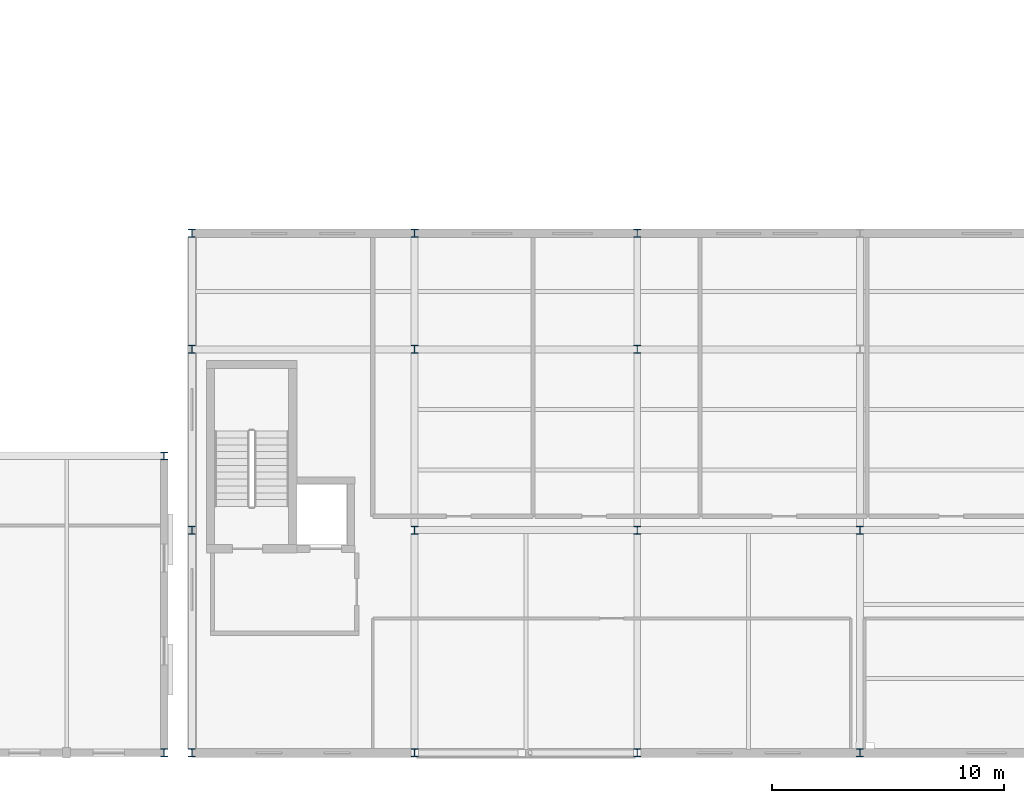
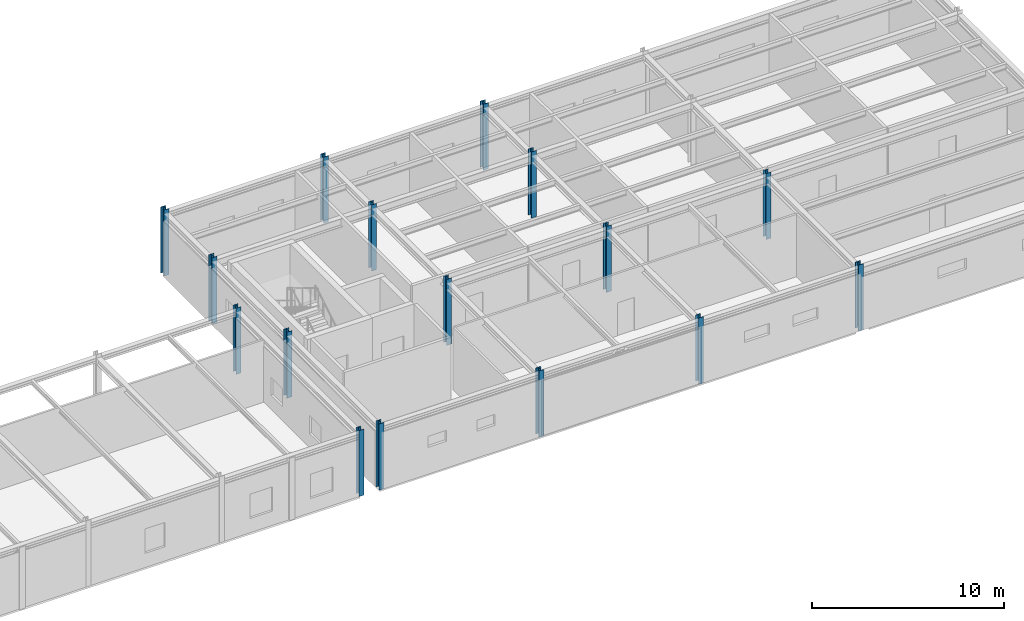
# One storey, part 17 of 99: 16 columns.
"""IFC4 building model written with IfcOpenShell, lengths in metres."""

from ifc_helpers import new_model, si_unit, direction, frame, origin, origin_2d, place, context, subcontext, project, spatial, i_section, extrude, material, material_profile, profile_set, type_object, element, save


model = new_model("IFC4")

# Units and contexts
model_context = context("Model", 3, precision=1e-05, world=origin(), true_north=direction((0.0, 1.0)))
body_context = subcontext(model_context, "Body", "Model", "MODEL_VIEW")
ifc_project = project(units=[si_unit("LENGTHUNIT", "METRE"), si_unit("AREAUNIT", "SQUARE_METRE"), si_unit("VOLUMEUNIT", "CUBIC_METRE"), si_unit("PLANEANGLEUNIT", "RADIAN"), si_unit("MASSUNIT", "GRAM", prefix="KILO")], contexts=[model_context])

# Site, building, storey
site_placement = place(None, origin())
site = spatial("IfcSite", under=ifc_project, at=site_placement, CompositionType="ELEMENT")
building_placement = place(site_placement, origin())
building = spatial("IfcBuilding", under=site, at=building_placement, Name="Nordkorset Police Headquarters", CompositionType="ELEMENT")
storey_placement = place(building_placement, frame((0.0, 0.0, 5.25)))
storey = spatial("IfcBuildingStorey", under=building, at=storey_placement, Name="L01", CompositionType="ELEMENT", Elevation=5.25)

# Columns
ifc_material = material(Name="Steel S355J2", Category="steel")
ifc_material_profile = material_profile(ifc_material, i_section(OverallWidth=0.300048828125, OverallDepth=0.340087890625, WebThickness=0.011962890625, FlangeThickness=0.021484375, FilletRadius=0.027099609375, at=origin_2d()), Name="HEB 340")
ifc_profile_set = profile_set([ifc_material_profile], Name="Steel S355J2")
column_type = type_object("IfcColumnType", Name="Col_HEB_340", PredefinedType="COLUMN", material=ifc_profile_set)
for number, where, z_axis, x_axis, name in (
    (1, (126.39990234375, 22.39990234375, 0.0), (0.0, 0.0, 1.0), (1.0, 0.0, 0.0), "Structural Column V6_N_0 L01"),
    (2, (126.39990234375, 0.0, 0.0), (0.0, 0.0, 1.0), (1.0, 0.0, 0.0), "Structural Column V6_Y0_0 L01"),
    (3, (126.39990234375, 9.60009765625, 0.0), (0.0, 0.0, 1.0), (1.0, 0.0, 0.0), "Structural Column V6_Y1_0 L01"),
    (4, (126.39990234375, 17.39990234375, 0.0), (0.0, 0.0, 1.0), (1.0, 0.0, 0.0), "Structural Column V6_Y2_0 L01"),
    (5, (136.0, 22.39990234375, 0.0), (0.0, 0.0, 1.0), (1.0, 0.0, 0.0), "Structural Column V6_N_1 L01"),
    (6, (136.0, 0.0, 0.0), (0.0, 0.0, 1.0), (1.0, 0.0, 0.0), "Structural Column V6_Y0_1 L01"),
    (7, (136.0, 9.60009765625, 0.0), (0.0, 0.0, 1.0), (1.0, 0.0, 0.0), "Structural Column V6_Y1_1 L01"),
    (8, (136.0, 17.39990234375, 0.0), (0.0, 0.0, 1.0), (1.0, 0.0, 0.0), "Structural Column V6_Y2_1 L01"),
    (9, (145.60009765625, 22.39990234375, 0.0), (0.0, 0.0, 1.0), (1.0, 0.0, 0.0), "Structural Column V6_N_2 L01"),
    (10, (145.60009765625, 0.0, 0.0), (0.0, 0.0, 1.0), (1.0, 0.0, 0.0), "Structural Column V6_Y0_2 L01"),
    (11, (145.60009765625, 9.60009765625, 0.0), (0.0, 0.0, 1.0), (1.0, 0.0, 0.0), "Structural Column V6_Y1_2 L01"),
    (12, (145.60009765625, 17.39990234375, 0.0), (0.0, 0.0, 1.0), (1.0, 0.0, 0.0), "Structural Column V6_Y2_2 L01"),
    (13, (155.199951171875, 0.0, 0.0), (0.0, 0.0, 1.0), (1.0, 0.0, 0.0), "Structural Column V6_Y0_3 L01"),
    (14, (155.199951171875, 9.60009765625, 0.0), (0.0, 0.0, 1.0), (1.0, 0.0, 0.0), "Structural Column V6_Y1_3 L01"),
    (15, (125.199951171875, 0.0, 0.0), (0.0, 0.0, 1.0), (1.0, 0.0, 0.0), "Structural Column V7_S0_14 L01"),
    (16, (125.199951171875, 12.800048828125, 0.0), (0.0, 0.0, 1.0), (1.0, 0.0, 0.0), "Structural Column V7_S1_14 L01"),
):
    element("IfcColumn", number, at=place(storey_placement, frame(where, z_axis=z_axis, x_axis=x_axis)), inside=storey, type_object=column_type, Name=name, PredefinedType="COLUMN", context=body_context, shape_type="SweptSolid", body=[
        extrude(i_section(OverallWidth=0.300048828125, OverallDepth=0.340087890625, WebThickness=0.011962890625, FlangeThickness=0.021484375, FilletRadius=0.027099609375, at=origin_2d()), origin(), (0.0, 0.0, 1.0), 4.199951171875),
    ])

save(model, "model.ifc")
